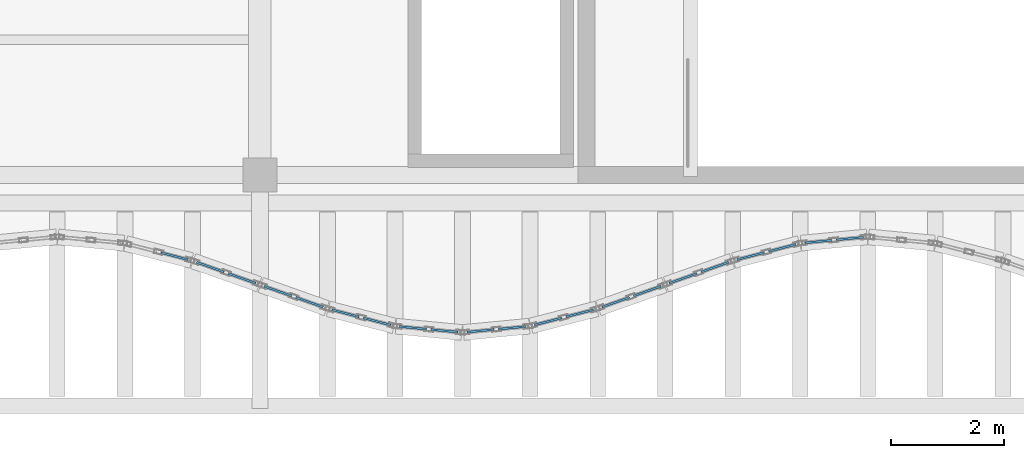
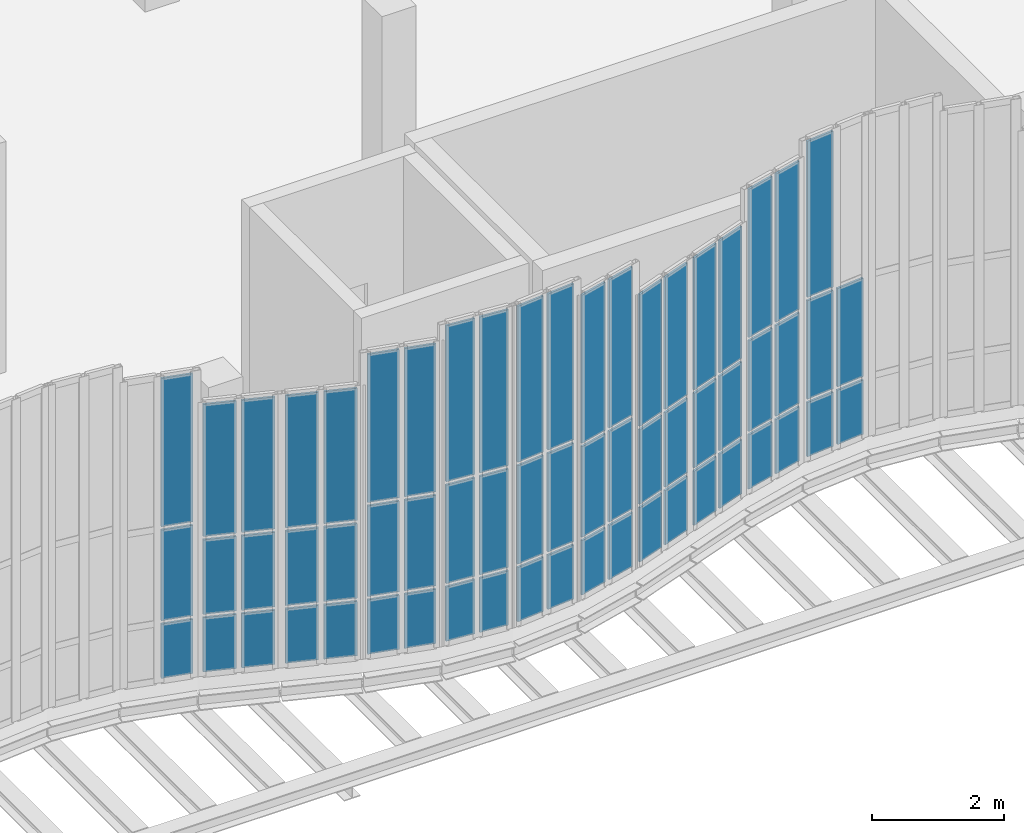
# One storey, part 58 of 76: 62 plates, 11 elements without a shape of their own.
"""IFC4 building model written with IfcOpenShell, lengths in metres."""

from ifc_helpers import new_model, si_unit, direction, frame, origin, origin_2d, place, context, subcontext, project, spatial, rectangle, extrude, material, layer, layer_set, type_object, element, aggregate, save


model = new_model("IFC4")

# Units and contexts
model_context = context("Model", 3, precision=1e-05, world=origin(), true_north=direction((0.0, 1.0)))
body_context = subcontext(model_context, "Body", "Model", "MODEL_VIEW")
ifc_project = project(units=[si_unit("LENGTHUNIT", "METRE"), si_unit("AREAUNIT", "SQUARE_METRE"), si_unit("VOLUMEUNIT", "CUBIC_METRE"), si_unit("PLANEANGLEUNIT", "RADIAN"), si_unit("MASSUNIT", "GRAM", prefix="KILO"), si_unit("THERMODYNAMICTEMPERATUREUNIT", "KELVIN"), si_unit("POWERUNIT", "WATT")], contexts=[model_context])

# Site, building, storey
site_placement = place(None, origin())
site = spatial("IfcSite", under=ifc_project, at=site_placement, CompositionType="ELEMENT")
building_placement = place(site_placement, origin())
building = spatial("IfcBuilding", under=site, at=building_placement, Name="Kaldorven Railside Theatre", CompositionType="ELEMENT")
storey_placement = place(building_placement, frame((0.0, 0.0, 14.39990234375)))
storey = spatial("IfcBuildingStorey", under=building, at=storey_placement, Name="L03", CompositionType="ELEMENT", Elevation=14.39990234375)

# Curtain wall, plates
ifc_material = material(Name="Low-E laminated solar-control glass", Category="glass")
ifc_layer_1 = layer(ifc_material, 0.159912109375, Name="Low-E laminated solar-control glass")
ifc_layer_set_1 = layer_set([ifc_layer_1], Name="Low-E laminated solar-control glass")
curtain_wall_type_1 = type_object("IfcCurtainWallType", Name="CWT-09", PredefinedType="USERDEFINED", material=ifc_layer_set_1)
curtain_wall_1_placement = place(storey_placement, origin())
curtain_wall_1 = element("IfcCurtainWall", 1, at=curtain_wall_1_placement, inside=storey, type_object=curtain_wall_type_1, Name="Sinusoidal Fluted Curtain Wall CW-L03-S53", ObjectType="FLUTED GLAZING", PredefinedType="USERDEFINED")
ifc_layer_2 = layer(ifc_material, 0.035888671875, Name="Low-E laminated solar-control glass")
ifc_layer_set_2 = layer_set([ifc_layer_2], Name="Low-E laminated solar-control glass")
plate_type = type_object("IfcPlateType", Name="CWP-CREST36", PredefinedType="CURTAIN_PANEL", material=ifc_layer_set_2)
plate_1_placement = place(storey_placement, frame((100.08056640625, 17.7578125, 0.06005859375), z_axis=(0.0, 0.0, 1.0), x_axis=(0.967999075505, -0.250953760326, 0.0)))
plate_1 = element("IfcPlate", 2, at=plate_1_placement, type_object=plate_type, Name="CW-L03-S53 panel 2.1", PredefinedType="CURTAIN_PANEL", context=body_context, shape_type="SweptSolid", body=[
    extrude(rectangle(XDim=0.499755859375, YDim=0.035888671875, at=origin_2d()), origin(), (0.0, 0.0, 1.0), 1.010009765625),
])
plate_2_placement = place(storey_placement, frame((100.08056640625, 17.7578125, 1.130126953125), z_axis=(0.0, 0.0, 1.0), x_axis=(0.967999075505, -0.250953760326, 0.0)))
plate_2 = element("IfcPlate", 3, at=plate_2_placement, type_object=plate_type, Name="CW-L03-S53 panel 2.2", PredefinedType="CURTAIN_PANEL", context=body_context, shape_type="SweptSolid", body=[
    extrude(rectangle(XDim=0.499755859375, YDim=0.035888671875, at=origin_2d()), origin(), (0.0, 0.0, 1.0), 1.68505859375),
])
plate_3_placement = place(storey_placement, frame((100.08056640625, 17.7578125, 2.875244140625), z_axis=(0.0, 0.0, 1.0), x_axis=(0.967999075505, -0.250953760326, 0.0)))
plate_3 = element("IfcPlate", 4, at=plate_3_placement, type_object=plate_type, Name="CW-L03-S53 panel 2.3", PredefinedType="CURTAIN_PANEL", context=body_context, shape_type="SweptSolid", body=[
    extrude(rectangle(XDim=0.499755859375, YDim=0.035888671875, at=origin_2d()), origin(), (0.0, 0.0, 1.0), 2.7548828125),
])
aggregate(curtain_wall_1, [plate_1, plate_2, plate_3])

ifc_layer_3 = layer(ifc_material, 0.159912109375, Name="Low-E laminated solar-control glass")
ifc_layer_set_3 = layer_set([ifc_layer_3], Name="Low-E laminated solar-control glass")
curtain_wall_type_2 = type_object("IfcCurtainWallType", Name="CWT-08", PredefinedType="USERDEFINED", material=ifc_layer_set_3)
curtain_wall_2_placement = place(storey_placement, origin())
curtain_wall_2 = element("IfcCurtainWall", 5, at=curtain_wall_2_placement, inside=storey, type_object=curtain_wall_type_2, Name="Sinusoidal Fluted Curtain Wall CW-L03-S54", ObjectType="FLUTED GLAZING", PredefinedType="USERDEFINED")
plate_4_placement = place(storey_placement, frame((100.71875, 17.56201171875, 0.06005859375), z_axis=(0.0, 0.0, 1.0), x_axis=(0.942627225159, -0.33384714225, 0.0)))
plate_4 = element("IfcPlate", 6, at=plate_4_placement, type_object=plate_type, Name="CW-L03-S54 panel 1.1", PredefinedType="CURTAIN_PANEL", context=body_context, shape_type="SweptSolid", body=[
    extrude(rectangle(XDim=0.5166015625, YDim=0.035888671875, at=origin_2d()), origin(), (0.0, 0.0, 1.0), 1.010009765625),
])
plate_5_placement = place(storey_placement, frame((100.71875, 17.56201171875, 1.1298828125), z_axis=(0.0, 0.0, 1.0), x_axis=(0.942627225159, -0.33384714225, 0.0)))
plate_5 = element("IfcPlate", 7, at=plate_5_placement, type_object=plate_type, Name="CW-L03-S54 panel 1.2", PredefinedType="CURTAIN_PANEL", context=body_context, shape_type="SweptSolid", body=[
    extrude(rectangle(XDim=0.5166015625, YDim=0.035888671875, at=origin_2d()), origin(), (0.0, 0.0, 1.0), 1.385009765625),
])
plate_6_placement = place(storey_placement, frame((100.71875, 17.56201171875, 2.574951171875), z_axis=(0.0, 0.0, 1.0), x_axis=(0.942627225159, -0.33384714225, 0.0)))
plate_6 = element("IfcPlate", 8, at=plate_6_placement, type_object=plate_type, Name="CW-L03-S54 panel 1.3", PredefinedType="CURTAIN_PANEL", context=body_context, shape_type="SweptSolid", body=[
    extrude(rectangle(XDim=0.5166015625, YDim=0.035888671875, at=origin_2d()), origin(), (0.0, 0.0, 1.0), 2.455078125),
])
plate_7_placement = place(storey_placement, frame((101.28125, 17.363037109375, 0.06005859375), z_axis=(0.0, 0.0, 1.0), x_axis=(0.942627225159, -0.33384714225, 0.0)))
plate_7 = element("IfcPlate", 9, at=plate_7_placement, type_object=plate_type, Name="CW-L03-S54 panel 2.1", PredefinedType="CURTAIN_PANEL", context=body_context, shape_type="SweptSolid", body=[
    extrude(rectangle(XDim=0.5166015625, YDim=0.035888671875, at=origin_2d()), origin(), (0.0, 0.0, 1.0), 1.010009765625),
])
plate_8_placement = place(storey_placement, frame((101.28125, 17.363037109375, 1.1298828125), z_axis=(0.0, 0.0, 1.0), x_axis=(0.942627225159, -0.33384714225, 0.0)))
plate_8 = element("IfcPlate", 10, at=plate_8_placement, type_object=plate_type, Name="CW-L03-S54 panel 2.2", PredefinedType="CURTAIN_PANEL", context=body_context, shape_type="SweptSolid", body=[
    extrude(rectangle(XDim=0.5166015625, YDim=0.035888671875, at=origin_2d()), origin(), (0.0, 0.0, 1.0), 1.385009765625),
])
plate_9_placement = place(storey_placement, frame((101.28125, 17.363037109375, 2.574951171875), z_axis=(0.0, 0.0, 1.0), x_axis=(0.942627225159, -0.33384714225, 0.0)))
plate_9 = element("IfcPlate", 11, at=plate_9_placement, type_object=plate_type, Name="CW-L03-S54 panel 2.3", PredefinedType="CURTAIN_PANEL", context=body_context, shape_type="SweptSolid", body=[
    extrude(rectangle(XDim=0.5166015625, YDim=0.035888671875, at=origin_2d()), origin(), (0.0, 0.0, 1.0), 2.455078125),
])
aggregate(curtain_wall_2, [plate_4, plate_5, plate_6, plate_7, plate_8, plate_9])

curtain_wall_3_placement = place(storey_placement, origin())
curtain_wall_3 = element("IfcCurtainWall", 12, at=curtain_wall_3_placement, inside=storey, type_object=curtain_wall_type_2, Name="Sinusoidal Fluted Curtain Wall CW-L03-S55", ObjectType="FLUTED GLAZING", PredefinedType="USERDEFINED")
plate_10_placement = place(storey_placement, frame((101.9189453125, 17.136962890625, 0.06005859375), z_axis=(0.0, 0.0, 1.0), x_axis=(0.942627225159, -0.33384714225, 0.0)))
plate_10 = element("IfcPlate", 13, at=plate_10_placement, type_object=plate_type, Name="CW-L03-S55 panel 1.1", PredefinedType="CURTAIN_PANEL", context=body_context, shape_type="SweptSolid", body=[
    extrude(rectangle(XDim=0.5166015625, YDim=0.035888671875, at=origin_2d()), origin(), (0.0, 0.0, 1.0), 1.010009765625),
])
plate_11_placement = place(storey_placement, frame((101.9189453125, 17.136962890625, 1.1298828125), z_axis=(0.0, 0.0, 1.0), x_axis=(0.942627225159, -0.33384714225, 0.0)))
plate_11 = element("IfcPlate", 14, at=plate_11_placement, type_object=plate_type, Name="CW-L03-S55 panel 1.2", PredefinedType="CURTAIN_PANEL", context=body_context, shape_type="SweptSolid", body=[
    extrude(rectangle(XDim=0.5166015625, YDim=0.035888671875, at=origin_2d()), origin(), (0.0, 0.0, 1.0), 1.385009765625),
])
plate_12_placement = place(storey_placement, frame((101.9189453125, 17.136962890625, 2.574951171875), z_axis=(0.0, 0.0, 1.0), x_axis=(0.942627225159, -0.33384714225, 0.0)))
plate_12 = element("IfcPlate", 15, at=plate_12_placement, type_object=plate_type, Name="CW-L03-S55 panel 1.3", PredefinedType="CURTAIN_PANEL", context=body_context, shape_type="SweptSolid", body=[
    extrude(rectangle(XDim=0.5166015625, YDim=0.035888671875, at=origin_2d()), origin(), (0.0, 0.0, 1.0), 2.455078125),
])
plate_13_placement = place(storey_placement, frame((102.481201171875, 16.93798828125, 0.06005859375), z_axis=(0.0, 0.0, 1.0), x_axis=(0.942627225159, -0.33384714225, 0.0)))
plate_13 = element("IfcPlate", 16, at=plate_13_placement, type_object=plate_type, Name="CW-L03-S55 panel 2.1", PredefinedType="CURTAIN_PANEL", context=body_context, shape_type="SweptSolid", body=[
    extrude(rectangle(XDim=0.5166015625, YDim=0.035888671875, at=origin_2d()), origin(), (0.0, 0.0, 1.0), 1.010009765625),
])
plate_14_placement = place(storey_placement, frame((102.481201171875, 16.93798828125, 1.1298828125), z_axis=(0.0, 0.0, 1.0), x_axis=(0.942627225159, -0.33384714225, 0.0)))
plate_14 = element("IfcPlate", 17, at=plate_14_placement, type_object=plate_type, Name="CW-L03-S55 panel 2.2", PredefinedType="CURTAIN_PANEL", context=body_context, shape_type="SweptSolid", body=[
    extrude(rectangle(XDim=0.5166015625, YDim=0.035888671875, at=origin_2d()), origin(), (0.0, 0.0, 1.0), 1.385009765625),
])
plate_15_placement = place(storey_placement, frame((102.481201171875, 16.93798828125, 2.574951171875), z_axis=(0.0, 0.0, 1.0), x_axis=(0.942627225159, -0.33384714225, 0.0)))
plate_15 = element("IfcPlate", 18, at=plate_15_placement, type_object=plate_type, Name="CW-L03-S55 panel 2.3", PredefinedType="CURTAIN_PANEL", context=body_context, shape_type="SweptSolid", body=[
    extrude(rectangle(XDim=0.5166015625, YDim=0.035888671875, at=origin_2d()), origin(), (0.0, 0.0, 1.0), 2.455078125),
])
aggregate(curtain_wall_3, [plate_10, plate_11, plate_12, plate_13, plate_14, plate_15])

curtain_wall_4_placement = place(storey_placement, origin())
curtain_wall_4 = element("IfcCurtainWall", 19, at=curtain_wall_4_placement, inside=storey, type_object=curtain_wall_type_1, Name="Sinusoidal Fluted Curtain Wall CW-L03-S56", ObjectType="FLUTED GLAZING", PredefinedType="USERDEFINED")
plate_16_placement = place(storey_placement, frame((103.119384765625, 16.7421875, 0.06005859375), z_axis=(0.0, 0.0, 1.0), x_axis=(0.967999075505, -0.250953760326, 0.0)))
plate_16 = element("IfcPlate", 20, at=plate_16_placement, type_object=plate_type, Name="CW-L03-S56 panel 1.1", PredefinedType="CURTAIN_PANEL", context=body_context, shape_type="SweptSolid", body=[
    extrude(rectangle(XDim=0.499755859375, YDim=0.035888671875, at=origin_2d()), origin(), (0.0, 0.0, 1.0), 1.010009765625),
])
plate_17_placement = place(storey_placement, frame((103.119384765625, 16.7421875, 1.130126953125), z_axis=(0.0, 0.0, 1.0), x_axis=(0.967999075505, -0.250953760326, 0.0)))
plate_17 = element("IfcPlate", 21, at=plate_17_placement, type_object=plate_type, Name="CW-L03-S56 panel 1.2", PredefinedType="CURTAIN_PANEL", context=body_context, shape_type="SweptSolid", body=[
    extrude(rectangle(XDim=0.499755859375, YDim=0.035888671875, at=origin_2d()), origin(), (0.0, 0.0, 1.0), 1.68505859375),
])
plate_18_placement = place(storey_placement, frame((103.119384765625, 16.7421875, 2.875244140625), z_axis=(0.0, 0.0, 1.0), x_axis=(0.967999075505, -0.250953760326, 0.0)))
plate_18 = element("IfcPlate", 22, at=plate_18_placement, type_object=plate_type, Name="CW-L03-S56 panel 1.3", PredefinedType="CURTAIN_PANEL", context=body_context, shape_type="SweptSolid", body=[
    extrude(rectangle(XDim=0.499755859375, YDim=0.035888671875, at=origin_2d()), origin(), (0.0, 0.0, 1.0), 2.7548828125),
])
plate_19_placement = place(storey_placement, frame((103.6806640625, 16.5966796875, 0.06005859375), z_axis=(0.0, 0.0, 1.0), x_axis=(0.967999075505, -0.250953760326, 0.0)))
plate_19 = element("IfcPlate", 23, at=plate_19_placement, type_object=plate_type, Name="CW-L03-S56 panel 2.1", PredefinedType="CURTAIN_PANEL", context=body_context, shape_type="SweptSolid", body=[
    extrude(rectangle(XDim=0.499755859375, YDim=0.035888671875, at=origin_2d()), origin(), (0.0, 0.0, 1.0), 1.010009765625),
])
plate_20_placement = place(storey_placement, frame((103.6806640625, 16.5966796875, 1.130126953125), z_axis=(0.0, 0.0, 1.0), x_axis=(0.967999075505, -0.250953760326, 0.0)))
plate_20 = element("IfcPlate", 24, at=plate_20_placement, type_object=plate_type, Name="CW-L03-S56 panel 2.2", PredefinedType="CURTAIN_PANEL", context=body_context, shape_type="SweptSolid", body=[
    extrude(rectangle(XDim=0.499755859375, YDim=0.035888671875, at=origin_2d()), origin(), (0.0, 0.0, 1.0), 1.68505859375),
])
plate_21_placement = place(storey_placement, frame((103.6806640625, 16.5966796875, 2.875244140625), z_axis=(0.0, 0.0, 1.0), x_axis=(0.967999075505, -0.250953760326, 0.0)))
plate_21 = element("IfcPlate", 25, at=plate_21_placement, type_object=plate_type, Name="CW-L03-S56 panel 2.3", PredefinedType="CURTAIN_PANEL", context=body_context, shape_type="SweptSolid", body=[
    extrude(rectangle(XDim=0.499755859375, YDim=0.035888671875, at=origin_2d()), origin(), (0.0, 0.0, 1.0), 2.7548828125),
])
aggregate(curtain_wall_4, [plate_16, plate_17, plate_18, plate_19, plate_20, plate_21])

ifc_layer_4 = layer(ifc_material, 0.159912109375, Name="Low-E laminated solar-control glass")
ifc_layer_set_4 = layer_set([ifc_layer_4], Name="Low-E laminated solar-control glass")
curtain_wall_type_3 = type_object("IfcCurtainWallType", Name="CWT-10", PredefinedType="USERDEFINED", material=ifc_layer_set_4)
curtain_wall_5_placement = place(storey_placement, origin())
curtain_wall_5 = element("IfcCurtainWall", 26, at=curtain_wall_5_placement, inside=storey, type_object=curtain_wall_type_3, Name="Sinusoidal Fluted Curtain Wall CW-L03-S57", ObjectType="FLUTED GLAZING", PredefinedType="USERDEFINED")
plate_22_placement = place(storey_placement, frame((104.31982421875, 16.483642578125, 0.06005859375), z_axis=(0.0, 0.0, 1.0), x_axis=(0.995525623425, -0.094491973758, 0.0)))
plate_22 = element("IfcPlate", 27, at=plate_22_placement, type_object=plate_type, Name="CW-L03-S57 panel 1.1", PredefinedType="CURTAIN_PANEL", context=body_context, shape_type="SweptSolid", body=[
    extrude(rectangle(XDim=0.482666015625, YDim=0.035888671875, at=origin_2d()), origin(), (0.0, 0.0, 1.0), 1.010009765625),
])
plate_23_placement = place(storey_placement, frame((104.31982421875, 16.483642578125, 1.130126953125), z_axis=(0.0, 0.0, 1.0), x_axis=(0.995525623425, -0.094491973758, 0.0)))
plate_23 = element("IfcPlate", 28, at=plate_23_placement, type_object=plate_type, Name="CW-L03-S57 panel 1.2", PredefinedType="CURTAIN_PANEL", context=body_context, shape_type="SweptSolid", body=[
    extrude(rectangle(XDim=0.482666015625, YDim=0.035888671875, at=origin_2d()), origin(), (0.0, 0.0, 1.0), 1.830078125),
])
plate_24_placement = place(storey_placement, frame((104.31982421875, 16.483642578125, 3.020263671875), z_axis=(0.0, 0.0, 1.0), x_axis=(0.995525623425, -0.094491973758, 0.0)))
plate_24 = element("IfcPlate", 29, at=plate_24_placement, type_object=plate_type, Name="CW-L03-S57 panel 1.3", PredefinedType="CURTAIN_PANEL", context=body_context, shape_type="SweptSolid", body=[
    extrude(rectangle(XDim=0.482666015625, YDim=0.035888671875, at=origin_2d()), origin(), (0.0, 0.0, 1.0), 2.89990234375),
])
plate_25_placement = place(storey_placement, frame((104.880126953125, 16.430419921875, 0.06005859375), z_axis=(0.0, 0.0, 1.0), x_axis=(0.995525623425, -0.094491973758, 0.0)))
plate_25 = element("IfcPlate", 30, at=plate_25_placement, type_object=plate_type, Name="CW-L03-S57 panel 2.1", PredefinedType="CURTAIN_PANEL", context=body_context, shape_type="SweptSolid", body=[
    extrude(rectangle(XDim=0.482666015625, YDim=0.035888671875, at=origin_2d()), origin(), (0.0, 0.0, 1.0), 1.010009765625),
])
plate_26_placement = place(storey_placement, frame((104.880126953125, 16.430419921875, 1.130126953125), z_axis=(0.0, 0.0, 1.0), x_axis=(0.995525623425, -0.094491973758, 0.0)))
plate_26 = element("IfcPlate", 31, at=plate_26_placement, type_object=plate_type, Name="CW-L03-S57 panel 2.2", PredefinedType="CURTAIN_PANEL", context=body_context, shape_type="SweptSolid", body=[
    extrude(rectangle(XDim=0.482666015625, YDim=0.035888671875, at=origin_2d()), origin(), (0.0, 0.0, 1.0), 1.830078125),
])
plate_27_placement = place(storey_placement, frame((104.880126953125, 16.430419921875, 3.020263671875), z_axis=(0.0, 0.0, 1.0), x_axis=(0.995525623425, -0.094491973758, 0.0)))
plate_27 = element("IfcPlate", 32, at=plate_27_placement, type_object=plate_type, Name="CW-L03-S57 panel 2.3", PredefinedType="CURTAIN_PANEL", context=body_context, shape_type="SweptSolid", body=[
    extrude(rectangle(XDim=0.482666015625, YDim=0.035888671875, at=origin_2d()), origin(), (0.0, 0.0, 1.0), 2.89990234375),
])
aggregate(curtain_wall_5, [plate_22, plate_23, plate_24, plate_25, plate_26, plate_27])

curtain_wall_6_placement = place(storey_placement, origin())
curtain_wall_6 = element("IfcCurtainWall", 33, at=curtain_wall_6_placement, inside=storey, type_object=curtain_wall_type_3, Name="Sinusoidal Fluted Curtain Wall CW-L03-S58", ObjectType="FLUTED GLAZING", PredefinedType="USERDEFINED")
plate_28_placement = place(storey_placement, frame((105.52001953125, 16.430419921875, 0.06005859375), z_axis=(0.0, 0.0, 1.0), x_axis=(0.995525623425, 0.094491973758, 0.0)))
plate_28 = element("IfcPlate", 34, at=plate_28_placement, type_object=plate_type, Name="CW-L03-S58 panel 1.1", PredefinedType="CURTAIN_PANEL", context=body_context, shape_type="SweptSolid", body=[
    extrude(rectangle(XDim=0.482666015625, YDim=0.035888671875, at=origin_2d()), origin(), (0.0, 0.0, 1.0), 1.010009765625),
])
plate_29_placement = place(storey_placement, frame((105.52001953125, 16.430419921875, 1.130126953125), z_axis=(0.0, 0.0, 1.0), x_axis=(0.995525623425, 0.094491973758, 0.0)))
plate_29 = element("IfcPlate", 35, at=plate_29_placement, type_object=plate_type, Name="CW-L03-S58 panel 1.2", PredefinedType="CURTAIN_PANEL", context=body_context, shape_type="SweptSolid", body=[
    extrude(rectangle(XDim=0.482666015625, YDim=0.035888671875, at=origin_2d()), origin(), (0.0, 0.0, 1.0), 1.830078125),
])
plate_30_placement = place(storey_placement, frame((105.52001953125, 16.430419921875, 3.020263671875), z_axis=(0.0, 0.0, 1.0), x_axis=(0.995525623425, 0.094491973758, 0.0)))
plate_30 = element("IfcPlate", 36, at=plate_30_placement, type_object=plate_type, Name="CW-L03-S58 panel 1.3", PredefinedType="CURTAIN_PANEL", context=body_context, shape_type="SweptSolid", body=[
    extrude(rectangle(XDim=0.482666015625, YDim=0.035888671875, at=origin_2d()), origin(), (0.0, 0.0, 1.0), 2.89990234375),
])
plate_31_placement = place(storey_placement, frame((106.080078125, 16.483642578125, 0.06005859375), z_axis=(0.0, 0.0, 1.0), x_axis=(0.995525623425, 0.094491973758, 0.0)))
plate_31 = element("IfcPlate", 37, at=plate_31_placement, type_object=plate_type, Name="CW-L03-S58 panel 2.1", PredefinedType="CURTAIN_PANEL", context=body_context, shape_type="SweptSolid", body=[
    extrude(rectangle(XDim=0.482666015625, YDim=0.035888671875, at=origin_2d()), origin(), (0.0, 0.0, 1.0), 1.010009765625),
])
plate_32_placement = place(storey_placement, frame((106.080078125, 16.483642578125, 1.130126953125), z_axis=(0.0, 0.0, 1.0), x_axis=(0.995525623425, 0.094491973758, 0.0)))
plate_32 = element("IfcPlate", 38, at=plate_32_placement, type_object=plate_type, Name="CW-L03-S58 panel 2.2", PredefinedType="CURTAIN_PANEL", context=body_context, shape_type="SweptSolid", body=[
    extrude(rectangle(XDim=0.482666015625, YDim=0.035888671875, at=origin_2d()), origin(), (0.0, 0.0, 1.0), 1.830078125),
])
plate_33_placement = place(storey_placement, frame((106.080078125, 16.483642578125, 3.020263671875), z_axis=(0.0, 0.0, 1.0), x_axis=(0.995525623425, 0.094491973758, 0.0)))
plate_33 = element("IfcPlate", 39, at=plate_33_placement, type_object=plate_type, Name="CW-L03-S58 panel 2.3", PredefinedType="CURTAIN_PANEL", context=body_context, shape_type="SweptSolid", body=[
    extrude(rectangle(XDim=0.482666015625, YDim=0.035888671875, at=origin_2d()), origin(), (0.0, 0.0, 1.0), 2.89990234375),
])
aggregate(curtain_wall_6, [plate_28, plate_29, plate_30, plate_31, plate_32, plate_33])

curtain_wall_7_placement = place(storey_placement, origin())
curtain_wall_7 = element("IfcCurtainWall", 40, at=curtain_wall_7_placement, inside=storey, type_object=curtain_wall_type_1, Name="Sinusoidal Fluted Curtain Wall CW-L03-S59", ObjectType="FLUTED GLAZING", PredefinedType="USERDEFINED")
plate_34_placement = place(storey_placement, frame((106.71923828125, 16.5966796875, 0.06005859375), z_axis=(0.0, 0.0, 1.0), x_axis=(0.967999075505, 0.250953760326, 0.0)))
plate_34 = element("IfcPlate", 41, at=plate_34_placement, type_object=plate_type, Name="CW-L03-S59 panel 1.1", PredefinedType="CURTAIN_PANEL", context=body_context, shape_type="SweptSolid", body=[
    extrude(rectangle(XDim=0.499755859375, YDim=0.035888671875, at=origin_2d()), origin(), (0.0, 0.0, 1.0), 1.010009765625),
])
plate_35_placement = place(storey_placement, frame((106.71923828125, 16.5966796875, 1.130126953125), z_axis=(0.0, 0.0, 1.0), x_axis=(0.967999075505, 0.250953760326, 0.0)))
plate_35 = element("IfcPlate", 42, at=plate_35_placement, type_object=plate_type, Name="CW-L03-S59 panel 1.2", PredefinedType="CURTAIN_PANEL", context=body_context, shape_type="SweptSolid", body=[
    extrude(rectangle(XDim=0.499755859375, YDim=0.035888671875, at=origin_2d()), origin(), (0.0, 0.0, 1.0), 1.68505859375),
])
plate_36_placement = place(storey_placement, frame((106.71923828125, 16.5966796875, 2.875244140625), z_axis=(0.0, 0.0, 1.0), x_axis=(0.967999075505, 0.250953760326, 0.0)))
plate_36 = element("IfcPlate", 43, at=plate_36_placement, type_object=plate_type, Name="CW-L03-S59 panel 1.3", PredefinedType="CURTAIN_PANEL", context=body_context, shape_type="SweptSolid", body=[
    extrude(rectangle(XDim=0.499755859375, YDim=0.035888671875, at=origin_2d()), origin(), (0.0, 0.0, 1.0), 2.7548828125),
])
plate_37_placement = place(storey_placement, frame((107.28076171875, 16.7421875, 0.06005859375), z_axis=(0.0, 0.0, 1.0), x_axis=(0.967999075505, 0.250953760326, 0.0)))
plate_37 = element("IfcPlate", 44, at=plate_37_placement, type_object=plate_type, Name="CW-L03-S59 panel 2.1", PredefinedType="CURTAIN_PANEL", context=body_context, shape_type="SweptSolid", body=[
    extrude(rectangle(XDim=0.499755859375, YDim=0.035888671875, at=origin_2d()), origin(), (0.0, 0.0, 1.0), 1.010009765625),
])
plate_38_placement = place(storey_placement, frame((107.28076171875, 16.7421875, 1.130126953125), z_axis=(0.0, 0.0, 1.0), x_axis=(0.967999075505, 0.250953760326, 0.0)))
plate_38 = element("IfcPlate", 45, at=plate_38_placement, type_object=plate_type, Name="CW-L03-S59 panel 2.2", PredefinedType="CURTAIN_PANEL", context=body_context, shape_type="SweptSolid", body=[
    extrude(rectangle(XDim=0.499755859375, YDim=0.035888671875, at=origin_2d()), origin(), (0.0, 0.0, 1.0), 1.68505859375),
])
plate_39_placement = place(storey_placement, frame((107.28076171875, 16.7421875, 2.875244140625), z_axis=(0.0, 0.0, 1.0), x_axis=(0.967999075505, 0.250953760326, 0.0)))
plate_39 = element("IfcPlate", 46, at=plate_39_placement, type_object=plate_type, Name="CW-L03-S59 panel 2.3", PredefinedType="CURTAIN_PANEL", context=body_context, shape_type="SweptSolid", body=[
    extrude(rectangle(XDim=0.499755859375, YDim=0.035888671875, at=origin_2d()), origin(), (0.0, 0.0, 1.0), 2.7548828125),
])
aggregate(curtain_wall_7, [plate_34, plate_35, plate_36, plate_37, plate_38, plate_39])

curtain_wall_8_placement = place(storey_placement, origin())
curtain_wall_8 = element("IfcCurtainWall", 47, at=curtain_wall_8_placement, inside=storey, type_object=curtain_wall_type_2, Name="Sinusoidal Fluted Curtain Wall CW-L03-S60", ObjectType="FLUTED GLAZING", PredefinedType="USERDEFINED")
plate_40_placement = place(storey_placement, frame((107.9189453125, 16.93798828125, 0.06005859375), z_axis=(0.0, 0.0, 1.0), x_axis=(0.942627225159, 0.33384714225, 0.0)))
plate_40 = element("IfcPlate", 48, at=plate_40_placement, type_object=plate_type, Name="CW-L03-S60 panel 1.1", PredefinedType="CURTAIN_PANEL", context=body_context, shape_type="SweptSolid", body=[
    extrude(rectangle(XDim=0.5166015625, YDim=0.035888671875, at=origin_2d()), origin(), (0.0, 0.0, 1.0), 1.010009765625),
])
plate_41_placement = place(storey_placement, frame((107.9189453125, 16.93798828125, 1.1298828125), z_axis=(0.0, 0.0, 1.0), x_axis=(0.942627225159, 0.33384714225, 0.0)))
plate_41 = element("IfcPlate", 49, at=plate_41_placement, type_object=plate_type, Name="CW-L03-S60 panel 1.2", PredefinedType="CURTAIN_PANEL", context=body_context, shape_type="SweptSolid", body=[
    extrude(rectangle(XDim=0.5166015625, YDim=0.035888671875, at=origin_2d()), origin(), (0.0, 0.0, 1.0), 1.385009765625),
])
plate_42_placement = place(storey_placement, frame((107.9189453125, 16.93798828125, 2.574951171875), z_axis=(0.0, 0.0, 1.0), x_axis=(0.942627225159, 0.33384714225, 0.0)))
plate_42 = element("IfcPlate", 50, at=plate_42_placement, type_object=plate_type, Name="CW-L03-S60 panel 1.3", PredefinedType="CURTAIN_PANEL", context=body_context, shape_type="SweptSolid", body=[
    extrude(rectangle(XDim=0.5166015625, YDim=0.035888671875, at=origin_2d()), origin(), (0.0, 0.0, 1.0), 2.455078125),
])
plate_43_placement = place(storey_placement, frame((108.481201171875, 17.136962890625, 0.06005859375), z_axis=(0.0, 0.0, 1.0), x_axis=(0.942627225159, 0.33384714225, 0.0)))
plate_43 = element("IfcPlate", 51, at=plate_43_placement, type_object=plate_type, Name="CW-L03-S60 panel 2.1", PredefinedType="CURTAIN_PANEL", context=body_context, shape_type="SweptSolid", body=[
    extrude(rectangle(XDim=0.5166015625, YDim=0.035888671875, at=origin_2d()), origin(), (0.0, 0.0, 1.0), 1.010009765625),
])
plate_44_placement = place(storey_placement, frame((108.481201171875, 17.136962890625, 1.1298828125), z_axis=(0.0, 0.0, 1.0), x_axis=(0.942627225159, 0.33384714225, 0.0)))
plate_44 = element("IfcPlate", 52, at=plate_44_placement, type_object=plate_type, Name="CW-L03-S60 panel 2.2", PredefinedType="CURTAIN_PANEL", context=body_context, shape_type="SweptSolid", body=[
    extrude(rectangle(XDim=0.5166015625, YDim=0.035888671875, at=origin_2d()), origin(), (0.0, 0.0, 1.0), 1.385009765625),
])
plate_45_placement = place(storey_placement, frame((108.481201171875, 17.136962890625, 2.574951171875), z_axis=(0.0, 0.0, 1.0), x_axis=(0.942627225159, 0.33384714225, 0.0)))
plate_45 = element("IfcPlate", 53, at=plate_45_placement, type_object=plate_type, Name="CW-L03-S60 panel 2.3", PredefinedType="CURTAIN_PANEL", context=body_context, shape_type="SweptSolid", body=[
    extrude(rectangle(XDim=0.5166015625, YDim=0.035888671875, at=origin_2d()), origin(), (0.0, 0.0, 1.0), 2.455078125),
])
aggregate(curtain_wall_8, [plate_40, plate_41, plate_42, plate_43, plate_44, plate_45])

curtain_wall_9_placement = place(storey_placement, origin())
curtain_wall_9 = element("IfcCurtainWall", 54, at=curtain_wall_9_placement, inside=storey, type_object=curtain_wall_type_2, Name="Sinusoidal Fluted Curtain Wall CW-L03-S61", ObjectType="FLUTED GLAZING", PredefinedType="USERDEFINED")
plate_46_placement = place(storey_placement, frame((109.118896484375, 17.363037109375, 0.06005859375), z_axis=(0.0, 0.0, 1.0), x_axis=(0.942627225159, 0.33384714225, 0.0)))
plate_46 = element("IfcPlate", 55, at=plate_46_placement, type_object=plate_type, Name="CW-L03-S61 panel 1.1", PredefinedType="CURTAIN_PANEL", context=body_context, shape_type="SweptSolid", body=[
    extrude(rectangle(XDim=0.5166015625, YDim=0.035888671875, at=origin_2d()), origin(), (0.0, 0.0, 1.0), 1.010009765625),
])
plate_47_placement = place(storey_placement, frame((109.118896484375, 17.363037109375, 1.1298828125), z_axis=(0.0, 0.0, 1.0), x_axis=(0.942627225159, 0.33384714225, 0.0)))
plate_47 = element("IfcPlate", 56, at=plate_47_placement, type_object=plate_type, Name="CW-L03-S61 panel 1.2", PredefinedType="CURTAIN_PANEL", context=body_context, shape_type="SweptSolid", body=[
    extrude(rectangle(XDim=0.5166015625, YDim=0.035888671875, at=origin_2d()), origin(), (0.0, 0.0, 1.0), 1.385009765625),
])
plate_48_placement = place(storey_placement, frame((109.118896484375, 17.363037109375, 2.574951171875), z_axis=(0.0, 0.0, 1.0), x_axis=(0.942627225159, 0.33384714225, 0.0)))
plate_48 = element("IfcPlate", 57, at=plate_48_placement, type_object=plate_type, Name="CW-L03-S61 panel 1.3", PredefinedType="CURTAIN_PANEL", context=body_context, shape_type="SweptSolid", body=[
    extrude(rectangle(XDim=0.5166015625, YDim=0.035888671875, at=origin_2d()), origin(), (0.0, 0.0, 1.0), 2.455078125),
])
plate_49_placement = place(storey_placement, frame((109.68115234375, 17.56201171875, 0.06005859375), z_axis=(0.0, 0.0, 1.0), x_axis=(0.942627225159, 0.33384714225, 0.0)))
plate_49 = element("IfcPlate", 58, at=plate_49_placement, type_object=plate_type, Name="CW-L03-S61 panel 2.1", PredefinedType="CURTAIN_PANEL", context=body_context, shape_type="SweptSolid", body=[
    extrude(rectangle(XDim=0.5166015625, YDim=0.035888671875, at=origin_2d()), origin(), (0.0, 0.0, 1.0), 1.010009765625),
])
plate_50_placement = place(storey_placement, frame((109.68115234375, 17.56201171875, 1.1298828125), z_axis=(0.0, 0.0, 1.0), x_axis=(0.942627225159, 0.33384714225, 0.0)))
plate_50 = element("IfcPlate", 59, at=plate_50_placement, type_object=plate_type, Name="CW-L03-S61 panel 2.2", PredefinedType="CURTAIN_PANEL", context=body_context, shape_type="SweptSolid", body=[
    extrude(rectangle(XDim=0.5166015625, YDim=0.035888671875, at=origin_2d()), origin(), (0.0, 0.0, 1.0), 1.385009765625),
])
plate_51_placement = place(storey_placement, frame((109.68115234375, 17.56201171875, 2.574951171875), z_axis=(0.0, 0.0, 1.0), x_axis=(0.942627225159, 0.33384714225, 0.0)))
plate_51 = element("IfcPlate", 60, at=plate_51_placement, type_object=plate_type, Name="CW-L03-S61 panel 2.3", PredefinedType="CURTAIN_PANEL", context=body_context, shape_type="SweptSolid", body=[
    extrude(rectangle(XDim=0.5166015625, YDim=0.035888671875, at=origin_2d()), origin(), (0.0, 0.0, 1.0), 2.455078125),
])
aggregate(curtain_wall_9, [plate_46, plate_47, plate_48, plate_49, plate_50, plate_51])

curtain_wall_10_placement = place(storey_placement, origin())
curtain_wall_10 = element("IfcCurtainWall", 61, at=curtain_wall_10_placement, inside=storey, type_object=curtain_wall_type_1, Name="Sinusoidal Fluted Curtain Wall CW-L03-S62", ObjectType="FLUTED GLAZING", PredefinedType="USERDEFINED")
plate_52_placement = place(storey_placement, frame((110.3193359375, 17.7578125, 0.06005859375), z_axis=(0.0, 0.0, 1.0), x_axis=(0.967999075505, 0.250953760326, 0.0)))
plate_52 = element("IfcPlate", 62, at=plate_52_placement, type_object=plate_type, Name="CW-L03-S62 panel 1.1", PredefinedType="CURTAIN_PANEL", context=body_context, shape_type="SweptSolid", body=[
    extrude(rectangle(XDim=0.499755859375, YDim=0.035888671875, at=origin_2d()), origin(), (0.0, 0.0, 1.0), 1.010009765625),
])
plate_53_placement = place(storey_placement, frame((110.3193359375, 17.7578125, 1.130126953125), z_axis=(0.0, 0.0, 1.0), x_axis=(0.967999075505, 0.250953760326, 0.0)))
plate_53 = element("IfcPlate", 63, at=plate_53_placement, type_object=plate_type, Name="CW-L03-S62 panel 1.2", PredefinedType="CURTAIN_PANEL", context=body_context, shape_type="SweptSolid", body=[
    extrude(rectangle(XDim=0.499755859375, YDim=0.035888671875, at=origin_2d()), origin(), (0.0, 0.0, 1.0), 1.68505859375),
])
plate_54_placement = place(storey_placement, frame((110.3193359375, 17.7578125, 2.875244140625), z_axis=(0.0, 0.0, 1.0), x_axis=(0.967999075505, 0.250953760326, 0.0)))
plate_54 = element("IfcPlate", 64, at=plate_54_placement, type_object=plate_type, Name="CW-L03-S62 panel 1.3", PredefinedType="CURTAIN_PANEL", context=body_context, shape_type="SweptSolid", body=[
    extrude(rectangle(XDim=0.499755859375, YDim=0.035888671875, at=origin_2d()), origin(), (0.0, 0.0, 1.0), 2.7548828125),
])
plate_55_placement = place(storey_placement, frame((110.880615234375, 17.9033203125, 0.06005859375), z_axis=(0.0, 0.0, 1.0), x_axis=(0.967999075505, 0.250953760326, 0.0)))
plate_55 = element("IfcPlate", 65, at=plate_55_placement, type_object=plate_type, Name="CW-L03-S62 panel 2.1", PredefinedType="CURTAIN_PANEL", context=body_context, shape_type="SweptSolid", body=[
    extrude(rectangle(XDim=0.499755859375, YDim=0.035888671875, at=origin_2d()), origin(), (0.0, 0.0, 1.0), 1.010009765625),
])
plate_56_placement = place(storey_placement, frame((110.880615234375, 17.9033203125, 1.130126953125), z_axis=(0.0, 0.0, 1.0), x_axis=(0.967999075505, 0.250953760326, 0.0)))
plate_56 = element("IfcPlate", 66, at=plate_56_placement, type_object=plate_type, Name="CW-L03-S62 panel 2.2", PredefinedType="CURTAIN_PANEL", context=body_context, shape_type="SweptSolid", body=[
    extrude(rectangle(XDim=0.499755859375, YDim=0.035888671875, at=origin_2d()), origin(), (0.0, 0.0, 1.0), 1.68505859375),
])
plate_57_placement = place(storey_placement, frame((110.880615234375, 17.9033203125, 2.875244140625), z_axis=(0.0, 0.0, 1.0), x_axis=(0.967999075505, 0.250953760326, 0.0)))
plate_57 = element("IfcPlate", 67, at=plate_57_placement, type_object=plate_type, Name="CW-L03-S62 panel 2.3", PredefinedType="CURTAIN_PANEL", context=body_context, shape_type="SweptSolid", body=[
    extrude(rectangle(XDim=0.499755859375, YDim=0.035888671875, at=origin_2d()), origin(), (0.0, 0.0, 1.0), 2.7548828125),
])
aggregate(curtain_wall_10, [plate_52, plate_53, plate_54, plate_55, plate_56, plate_57])

curtain_wall_11_placement = place(storey_placement, origin())
curtain_wall_11 = element("IfcCurtainWall", 68, at=curtain_wall_11_placement, inside=storey, type_object=curtain_wall_type_3, Name="Sinusoidal Fluted Curtain Wall CW-L03-S63", ObjectType="FLUTED GLAZING", PredefinedType="USERDEFINED")
plate_58_placement = place(storey_placement, frame((111.52001953125, 18.016357421875, 0.06005859375), z_axis=(0.0, 0.0, 1.0), x_axis=(0.995525623425, 0.094491973758, 0.0)))
plate_58 = element("IfcPlate", 69, at=plate_58_placement, type_object=plate_type, Name="CW-L03-S63 panel 1.1", PredefinedType="CURTAIN_PANEL", context=body_context, shape_type="SweptSolid", body=[
    extrude(rectangle(XDim=0.482666015625, YDim=0.035888671875, at=origin_2d()), origin(), (0.0, 0.0, 1.0), 1.010009765625),
])
plate_59_placement = place(storey_placement, frame((111.52001953125, 18.016357421875, 1.130126953125), z_axis=(0.0, 0.0, 1.0), x_axis=(0.995525623425, 0.094491973758, 0.0)))
plate_59 = element("IfcPlate", 70, at=plate_59_placement, type_object=plate_type, Name="CW-L03-S63 panel 1.2", PredefinedType="CURTAIN_PANEL", context=body_context, shape_type="SweptSolid", body=[
    extrude(rectangle(XDim=0.482666015625, YDim=0.035888671875, at=origin_2d()), origin(), (0.0, 0.0, 1.0), 1.830078125),
])
plate_60_placement = place(storey_placement, frame((111.52001953125, 18.016357421875, 3.020263671875), z_axis=(0.0, 0.0, 1.0), x_axis=(0.995525623425, 0.094491973758, 0.0)))
plate_60 = element("IfcPlate", 71, at=plate_60_placement, type_object=plate_type, Name="CW-L03-S63 panel 1.3", PredefinedType="CURTAIN_PANEL", context=body_context, shape_type="SweptSolid", body=[
    extrude(rectangle(XDim=0.482666015625, YDim=0.035888671875, at=origin_2d()), origin(), (0.0, 0.0, 1.0), 2.89990234375),
])
plate_61_placement = place(storey_placement, frame((112.080078125, 18.069580078125, 0.06005859375), z_axis=(0.0, 0.0, 1.0), x_axis=(0.995525623425, 0.094491973758, 0.0)))
plate_61 = element("IfcPlate", 72, at=plate_61_placement, type_object=plate_type, Name="CW-L03-S63 panel 2.1", PredefinedType="CURTAIN_PANEL", context=body_context, shape_type="SweptSolid", body=[
    extrude(rectangle(XDim=0.482666015625, YDim=0.035888671875, at=origin_2d()), origin(), (0.0, 0.0, 1.0), 1.010009765625),
])
plate_62_placement = place(storey_placement, frame((112.080078125, 18.069580078125, 1.130126953125), z_axis=(0.0, 0.0, 1.0), x_axis=(0.995525623425, 0.094491973758, 0.0)))
plate_62 = element("IfcPlate", 73, at=plate_62_placement, type_object=plate_type, Name="CW-L03-S63 panel 2.2", PredefinedType="CURTAIN_PANEL", context=body_context, shape_type="SweptSolid", body=[
    extrude(rectangle(XDim=0.482666015625, YDim=0.035888671875, at=origin_2d()), origin(), (0.0, 0.0, 1.0), 1.830078125),
])
aggregate(curtain_wall_11, [plate_58, plate_59, plate_60, plate_61, plate_62])

save(model, "model.ifc")
